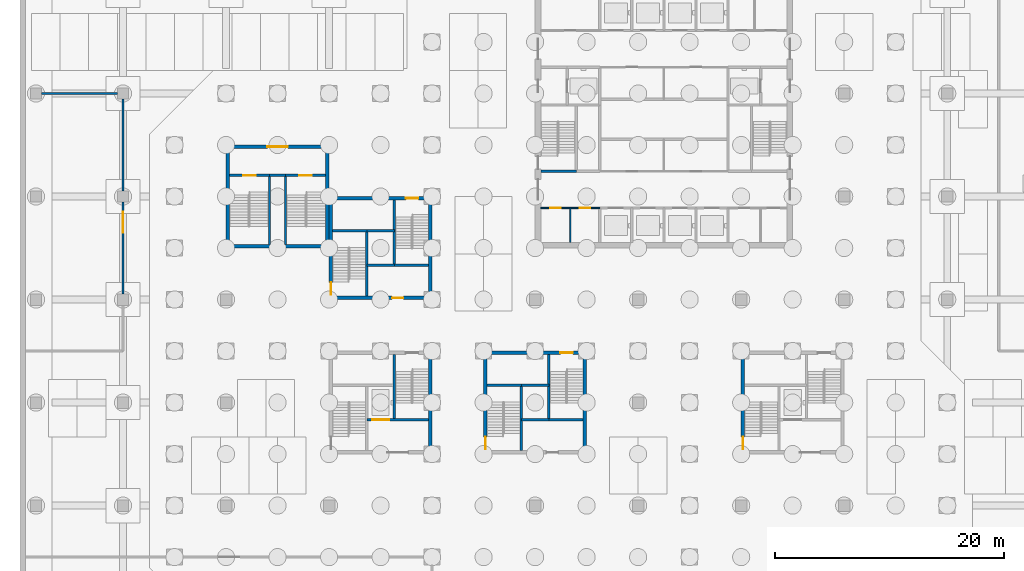
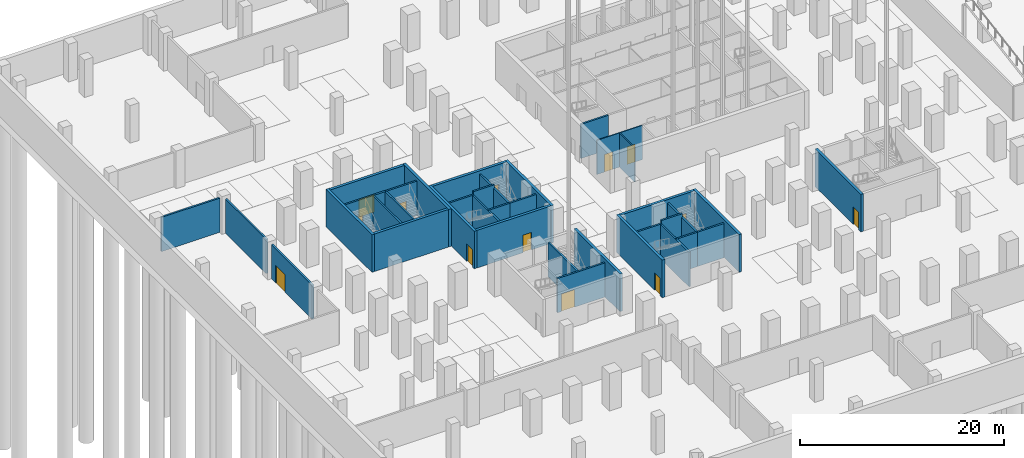
# One storey, part 14 of 37: 38 walls, 13 doors, 13 openings.
"""IFC4 building model written with IfcOpenShell, lengths in metres."""

from ifc_helpers import new_model, si_unit, direction, frame, frame_2d, origin, place, context, subcontext, project, spatial, rectangle, extrude, material, layer, layer_set, type_object, element, fill, save


model = new_model("IFC4")

# Units and contexts
model_context = context("Model", 3, precision=1e-05, world=origin(), true_north=direction((0.0, 1.0)))
body_context = subcontext(model_context, "Body", "Model", "MODEL_VIEW")
ifc_project = project(units=[si_unit("LENGTHUNIT", "METRE"), si_unit("AREAUNIT", "SQUARE_METRE"), si_unit("VOLUMEUNIT", "CUBIC_METRE"), si_unit("PLANEANGLEUNIT", "RADIAN"), si_unit("MASSUNIT", "GRAM", prefix="KILO")], contexts=[model_context])

# Site, building, storey
site_placement = place(None, origin())
site = spatial("IfcSite", under=ifc_project, at=site_placement, CompositionType="ELEMENT")
building_placement = place(site_placement, origin())
building = spatial("IfcBuilding", under=site, at=building_placement, Name="Quoin Convention Tower", CompositionType="ELEMENT")
storey_placement = place(building_placement, frame((0.0, 0.0, -9.0)))
storey = spatial("IfcBuildingStorey", under=building, at=storey_placement, Name="B2", CompositionType="ELEMENT", Elevation=-9.0)

# Wall, opening, door
ifc_material_1 = material(Name="Plasterboard")
ifc_layer_1 = layer(ifc_material_1, 0.012451171875, Name="Finish")
ifc_material_2 = material(Name="Steel stud framing", Category="steel")
ifc_layer_2 = layer(ifc_material_2, 0.175048828125, Name="Structure")
ifc_layer_3 = layer(ifc_material_1, 0.012451171875, Name="Finish")
ifc_layer_set_1 = layer_set([ifc_layer_1, ifc_layer_2, ifc_layer_3], Name="Steel stud framing")
wall_type_1 = type_object("IfcWallType", Name="Block wall 200", PredefinedType="PARTITIONING", material=ifc_layer_set_1)
wall_1_placement = place(storey_placement, frame((9.0, 45.5, 0.0), z_axis=(0.0, 0.0, 1.0), x_axis=(0.0, 1.0, 0.0)))
wall_1 = element("IfcWall", 1, at=wall_1_placement, inside=storey, type_object=wall_type_1, Name="pw-B2-021", PredefinedType="PARTITIONING", context=body_context, shape_type="SweptSolid", body=[
    extrude(rectangle(XDim=8.0, YDim=0.199951171875, at=frame_2d((4.0, 0.0))), origin(), (0.0, 0.0, 1.0), 4.10009765625),
])
opening_1_placement = place(wall_1_placement, frame((5.35009765625, 0.0, 0.0)))
opening_1 = element("IfcOpeningElement", 2, at=opening_1_placement, cuts=wall_1, Name="Opening DPDB2-06", PredefinedType="OPENING", context=body_context, shape_type="SweptSolid", body=[
    extrude(rectangle(XDim=1.800048828125, YDim=2.10009765625, at=frame_2d((0.89990234375, 1.050048828125))), frame((0.0, 0.10986328125, 0.0), z_axis=(0.0, -1.0, 0.0), x_axis=(1.0, 0.0, 0.0)), (0.0, 0.0, 1.0), 0.219970703125),
])
ifc_material_3 = material(Name="Steel door leaf", Category="steel")
door_type_1 = type_object("IfcDoorType", Name="Double leaf door 1800", OperationType="DOUBLE_DOOR_SINGLE_SWING", PredefinedType="DOOR", material=ifc_material_3)
door_1_placement = place(opening_1_placement, frame((1.800048828125, 0.0, 0.0), z_axis=(0.0, 0.0, 1.0), x_axis=(-1.0, 0.0, 0.0)))
door_1 = element("IfcDoor", 3, at=door_1_placement, inside=storey, type_object=door_type_1, Name="dr-B2-011", OperationType="DOUBLE_DOOR_SINGLE_SWING", OverallHeight=2.10009765625, OverallWidth=1.800048828125, PredefinedType="DOOR", context=body_context, shape_type="SweptSolid", body=[
    extrude(rectangle(XDim=1.800048828125, YDim=2.10009765625, at=frame_2d((0.89990234375, 1.050048828125))), frame((0.0, 0.02490234375, 0.0), z_axis=(0.0, -1.0, 0.0), x_axis=(1.0, 0.0, 0.0)), (0.0, 0.0, 1.0), 0.050048828125),
])
fill(opening_1, door_1)

# Walls
wall_2_placement = place(storey_placement, frame((9.0, 54.5, 0.0), z_axis=(0.0, 0.0, 1.0), x_axis=(0.0, 1.0, 0.0)))
element("IfcWall", 4, at=wall_2_placement, inside=storey, type_object=wall_type_1, Name="pw-B2-022", PredefinedType="PARTITIONING", context=body_context, shape_type="SweptSolid", body=[
    extrude(rectangle(XDim=8.0, YDim=0.199951171875, at=frame_2d((4.0, 0.0))), origin(), (0.0, 0.0, 1.0), 4.10009765625),
])
wall_3_placement = place(storey_placement, frame((1.89990234375, 63.0, 0.0), z_axis=(0.0, 0.0, 1.0), x_axis=(1.0, 0.0, 0.0)))
element("IfcWall", 5, at=wall_3_placement, inside=storey, type_object=wall_type_1, Name="pw-B2-025", PredefinedType="PARTITIONING", context=body_context, shape_type="SweptSolid", body=[
    extrude(rectangle(XDim=6.60009765625, YDim=0.199951171875, at=frame_2d((3.300048828125, 0.0))), origin(), (0.0, 0.0, 1.0), 4.10009765625),
])

# Wall, openings, doors
ifc_layer_4 = layer(ifc_material_1, 0.012451171875, Name="Finish")
ifc_layer_5 = layer(ifc_material_2, 0.074951171875, Name="Structure")
ifc_layer_6 = layer(ifc_material_1, 0.012451171875, Name="Finish")
ifc_layer_set_2 = layer_set([ifc_layer_4, ifc_layer_5, ifc_layer_6], Name="Steel stud framing")
wall_type_2 = type_object("IfcWallType", Name="Core partition wall", PredefinedType="PARTITIONING", material=ifc_layer_set_2)
wall_4_placement = place(storey_placement, frame((45.5, 53.0, 0.0), z_axis=(0.0, 0.0, 1.0), x_axis=(1.0, 0.0, 0.0)))
wall_4 = element("IfcWall", 6, at=wall_4_placement, inside=storey, type_object=wall_type_2, Name="cr-C1-B2-h3500_500", PredefinedType="PARTITIONING", context=body_context, shape_type="SweptSolid", body=[
    extrude(rectangle(XDim=5.14990234375, YDim=0.10009765625, at=frame_2d((2.574951171875, 0.0))), origin(), (0.0, 0.0, 1.0), 4.10009765625),
])
opening_2_placement = place(wall_4_placement, frame((0.83740234375, 0.0, 0.0)))
opening_2 = element("IfcOpeningElement", 7, at=opening_2_placement, cuts=wall_4, Name="Opening DCV0-49", PredefinedType="OPENING", context=body_context, shape_type="SweptSolid", body=[
    extrude(rectangle(XDim=0.89990234375, YDim=2.10009765625, at=frame_2d((0.449951171875, 1.050048828125))), frame((0.0, 0.06005859375, 0.0), z_axis=(0.0, -1.0, 0.0), x_axis=(1.0, 0.0, 0.0)), (0.0, 0.0, 1.0), 0.1201171875),
])
opening_3_placement = place(wall_4_placement, frame((3.41259765625, 0.0, 0.0)))
opening_3 = element("IfcOpeningElement", 8, at=opening_3_placement, cuts=wall_4, Name="Opening DCV0-50", PredefinedType="OPENING", context=body_context, shape_type="SweptSolid", body=[
    extrude(rectangle(XDim=0.89990234375, YDim=2.10009765625, at=frame_2d((0.449951171875, 1.050048828125))), frame((0.0, 0.06005859375, 0.0), z_axis=(0.0, -1.0, 0.0), x_axis=(1.0, 0.0, 0.0)), (0.0, 0.0, 1.0), 0.1201171875),
])
door_type_2 = type_object("IfcDoorType", Name="Core room door 900 x 2100", OperationType="SINGLE_SWING_LEFT", PredefinedType="DOOR", material=ifc_material_3)
door_2_placement = place(opening_2_placement, frame((0.89990234375, 0.0, 0.0), z_axis=(0.0, 0.0, 1.0), x_axis=(-1.0, 0.0, 0.0)))
door_2 = element("IfcDoor", 9, at=door_2_placement, inside=storey, type_object=door_type_2, Name="cd-C1-B2-CSW0-lobA-CDB212", OperationType="SINGLE_SWING_LEFT", OverallHeight=2.10009765625, OverallWidth=0.89990234375, PredefinedType="DOOR", context=body_context, shape_type="SweptSolid", body=[
    extrude(rectangle(XDim=0.89990234375, YDim=2.10009765625, at=frame_2d((0.449951171875, 1.050048828125))), frame((0.0, 0.02490234375, 0.0), z_axis=(0.0, -1.0, 0.0), x_axis=(1.0, 0.0, 0.0)), (0.0, 0.0, 1.0), 0.050048828125),
])
fill(opening_2, door_2)
door_3_placement = place(opening_3_placement, frame((0.89990234375, 0.0, 0.0), z_axis=(0.0, 0.0, 1.0), x_axis=(-1.0, 0.0, 0.0)))
door_3 = element("IfcDoor", 10, at=door_3_placement, inside=storey, type_object=door_type_2, Name="cd-C1-B2-CSW1-lobA-CDB213", OperationType="SINGLE_SWING_LEFT", OverallHeight=2.10009765625, OverallWidth=0.89990234375, PredefinedType="DOOR", context=body_context, shape_type="SweptSolid", body=[
    extrude(rectangle(XDim=0.89990234375, YDim=2.10009765625, at=frame_2d((0.449951171875, 1.050048828125))), frame((0.0, 0.02490234375, 0.0), z_axis=(0.0, -1.0, 0.0), x_axis=(1.0, 0.0, 0.0)), (0.0, 0.0, 1.0), 0.050048828125),
])
fill(opening_3, door_3)

# Walls
wall_5_placement = place(storey_placement, frame((48.074951171875, 50.0, 0.0), z_axis=(0.0, 0.0, 1.0), x_axis=(0.0, 1.0, 0.0)))
element("IfcWall", 11, at=wall_5_placement, inside=storey, type_object=wall_type_2, Name="cr-C1-B2-v3075_500", PredefinedType="PARTITIONING", context=body_context, shape_type="SweptSolid", body=[
    extrude(rectangle(XDim=3.0, YDim=0.10009765625, at=frame_2d((1.5, 0.0))), origin(), (0.0, 0.0, 1.0), 4.10009765625),
])
ifc_material_4 = material(Name="Concrete C50", Category="concrete")
ifc_layer_7 = layer(ifc_material_4, 0.199951171875)
ifc_layer_set_3 = layer_set([ifc_layer_7], Name="Concrete C50")
wall_type_3 = type_object("IfcWallType", Name="Core shaft wall", PredefinedType="SOLIDWALL", material=ifc_layer_set_3)
wall_6_placement = place(storey_placement, frame((45.5, 56.199951171875, 0.0), z_axis=(0.0, 0.0, 1.0), x_axis=(1.0, 0.0, 0.0)))
element("IfcWall", 12, at=wall_6_placement, inside=storey, type_object=wall_type_3, Name="cr-C1-B2-h6700_500", PredefinedType="SOLIDWALL", context=body_context, shape_type="SweptSolid", body=[
    extrude(rectangle(XDim=3.10009765625, YDim=0.199951171875, at=frame_2d((1.550048828125, 0.0))), origin(), (0.0, 0.0, 1.0), 4.10009765625),
])
wall_7_placement = place(storey_placement, frame((30.300048828125, 48.0, 0.0), z_axis=(0.0, 0.0, 1.0), x_axis=(1.0, 0.0, 0.0)))
element("IfcWall", 13, at=wall_7_placement, inside=storey, type_object=wall_type_3, Name="cr-P2-B2-h3000_3300", PredefinedType="SOLIDWALL", context=body_context, shape_type="SweptSolid", body=[
    extrude(rectangle(XDim=2.39990234375, YDim=0.199951171875, at=frame_2d((1.199951171875, 0.0))), origin(), (0.0, 0.0, 1.0), 4.10009765625),
])
for number, where, z_axis, x_axis, name in (
    (14, (32.699951171875, 48.0, 0.0), (0.0, 0.0, 1.0), (1.0, 0.0, 0.0), "cr-P2-B2-h3000_5700"),
    (15, (27.300048828125, 51.0, 0.0), (0.0, 0.0, 1.0), (1.0, 0.0, 0.0), "cr-P2-B2-h6000_300"),
):
    element("IfcWall", number, at=place(storey_placement, frame(where, z_axis=z_axis, x_axis=x_axis)), inside=storey, type_object=wall_type_3, Name=name, PredefinedType="SOLIDWALL", context=body_context, shape_type="SweptSolid", body=[
        extrude(rectangle(XDim=3.0, YDim=0.199951171875, at=frame_2d((1.5, 0.0))), origin(), (0.0, 0.0, 1.0), 4.10009765625),
    ])
for number, where, z_axis, x_axis, name in (
    (16, (30.300048828125, 45.300048828125, 0.0), (0.0, 0.0, 1.0), (0.0, 1.0, 0.0), "cr-P2-B2-v3300_300"),
    (17, (32.699951171875, 48.0, 0.0), (0.0, 0.0, 1.0), (0.0, 1.0, 0.0), "cr-P2-B2-v5700_3000"),
):
    element("IfcWall", number, at=place(storey_placement, frame(where, z_axis=z_axis, x_axis=x_axis)), inside=storey, type_object=wall_type_3, Name=name, PredefinedType="SOLIDWALL", context=body_context, shape_type="SweptSolid", body=[
        extrude(rectangle(XDim=5.699951171875, YDim=0.199951171875, at=frame_2d((2.85009765625, 0.0))), origin(), (0.0, 0.0, 1.0), 4.10009765625),
    ])
wall_8_placement = place(storey_placement, frame((43.800048828125, 34.5, 0.0), z_axis=(0.0, 0.0, 1.0), x_axis=(1.0, 0.0, 0.0)))
element("IfcWall", 18, at=wall_8_placement, inside=storey, type_object=wall_type_3, Name="cr-P3-B2-h3000_3300", PredefinedType="SOLIDWALL", context=body_context, shape_type="SweptSolid", body=[
    extrude(rectangle(XDim=2.39990234375, YDim=0.199951171875, at=frame_2d((1.199951171875, 0.0))), origin(), (0.0, 0.0, 1.0), 4.10009765625),
])
for number, where, z_axis, x_axis, name in (
    (19, (46.199951171875, 34.5, 0.0), (0.0, 0.0, 1.0), (1.0, 0.0, 0.0), "cr-P3-B2-h3000_5700"),
    (20, (40.800048828125, 37.5, 0.0), (0.0, 0.0, 1.0), (1.0, 0.0, 0.0), "cr-P3-B2-h6000_300"),
):
    element("IfcWall", number, at=place(storey_placement, frame(where, z_axis=z_axis, x_axis=x_axis)), inside=storey, type_object=wall_type_3, Name=name, PredefinedType="SOLIDWALL", context=body_context, shape_type="SweptSolid", body=[
        extrude(rectangle(XDim=3.0, YDim=0.199951171875, at=frame_2d((1.5, 0.0))), origin(), (0.0, 0.0, 1.0), 4.10009765625),
    ])
for number, where, z_axis, x_axis, name in (
    (21, (43.800048828125, 31.800048828125, 0.0), (0.0, 0.0, 1.0), (0.0, 1.0, 0.0), "cr-P3-B2-v3300_300"),
    (22, (46.199951171875, 34.5, 0.0), (0.0, 0.0, 1.0), (0.0, 1.0, 0.0), "cr-P3-B2-v5700_3000"),
):
    element("IfcWall", number, at=place(storey_placement, frame(where, z_axis=z_axis, x_axis=x_axis)), inside=storey, type_object=wall_type_3, Name=name, PredefinedType="SOLIDWALL", context=body_context, shape_type="SweptSolid", body=[
        extrude(rectangle(XDim=5.699951171875, YDim=0.199951171875, at=frame_2d((2.85009765625, 0.0))), origin(), (0.0, 0.0, 1.0), 4.10009765625),
    ])

# Wall, opening, door
wall_9_placement = place(storey_placement, frame((30.300048828125, 34.5, 0.0), z_axis=(0.0, 0.0, 1.0), x_axis=(1.0, 0.0, 0.0)))
wall_9 = element("IfcWall", 23, at=wall_9_placement, inside=storey, type_object=wall_type_3, Name="cr-P4-B2-h3000_3300", PredefinedType="SOLIDWALL", context=body_context, shape_type="SweptSolid", body=[
    extrude(rectangle(XDim=5.39990234375, YDim=0.199951171875, at=frame_2d((2.699951171875, 0.0))), origin(), (0.0, 0.0, 1.0), 4.10009765625),
])
opening_4_placement = place(wall_9_placement, frame((0.449951171875, 0.0, 0.0)))
opening_4 = element("IfcOpeningElement", 24, at=opening_4_placement, cuts=wall_9, Name="Opening LDGL1", PredefinedType="OPENING", context=body_context, shape_type="SweptSolid", body=[
    extrude(rectangle(XDim=1.5, YDim=2.10009765625, at=frame_2d((0.75, 1.050048828125))), frame((0.0, 0.10986328125, 0.0), z_axis=(0.0, -1.0, 0.0), x_axis=(1.0, 0.0, 0.0)), (0.0, 0.0, 1.0), 0.219970703125),
])
door_type_3 = type_object("IfcDoorType", Name="Lift landing door 1500 x 2100", OperationType="DOUBLE_DOOR_SLIDING", PredefinedType="DOOR", material=ifc_material_3)
door_4_placement = place(opening_4_placement, origin())
door_4 = element("IfcDoor", 25, at=door_4_placement, inside=storey, type_object=door_type_3, Name="cd-P4-B2-CEN-R2-LDGL1", OperationType="DOUBLE_DOOR_SLIDING", OverallHeight=2.10009765625, OverallWidth=1.5, PredefinedType="DOOR", context=body_context, shape_type="SweptSolid", body=[
    extrude(rectangle(XDim=1.5, YDim=2.10009765625, at=frame_2d((0.75, 1.050048828125))), frame((0.0, 0.02490234375, 0.0), z_axis=(0.0, -1.0, 0.0), x_axis=(1.0, 0.0, 0.0)), (0.0, 0.0, 1.0), 0.050048828125),
])
fill(opening_4, door_4)

# Walls
wall_10_placement = place(storey_placement, frame((32.699951171875, 34.5, 0.0), z_axis=(0.0, 0.0, 1.0), x_axis=(0.0, 1.0, 0.0)))
element("IfcWall", 26, at=wall_10_placement, inside=storey, type_object=wall_type_3, Name="cr-P4-B2-v5700_3000", PredefinedType="SOLIDWALL", context=body_context, shape_type="SweptSolid", body=[
    extrude(rectangle(XDim=5.699951171875, YDim=0.199951171875, at=frame_2d((2.85009765625, 0.0))), origin(), (0.0, 0.0, 1.0), 4.10009765625),
])
wall_11_placement = place(storey_placement, frame((21.800048828125, 55.85009765625, 0.0), z_axis=(0.0, 0.0, 1.0), x_axis=(1.0, 0.0, 0.0)))
element("IfcWall", 27, at=wall_11_placement, inside=storey, type_object=wall_type_3, Name="cr-P6-B2-h6350_3800", PredefinedType="SOLIDWALL", context=body_context, shape_type="SweptSolid", body=[
    extrude(rectangle(XDim=1.39990234375, YDim=0.199951171875, at=frame_2d((0.699951171875, 0.0))), origin(), (0.0, 0.0, 1.0), 4.10009765625),
])

# Wall, opening, door
wall_12_placement = place(storey_placement, frame((18.300048828125, 55.85009765625, 0.0), z_axis=(0.0, 0.0, 1.0), x_axis=(1.0, 0.0, 0.0)))
wall_12 = element("IfcWall", 28, at=wall_12_placement, inside=storey, type_object=wall_type_3, Name="cr-P6-B2-h6350_300", PredefinedType="SOLIDWALL", context=body_context, shape_type="SweptSolid", body=[
    extrude(rectangle(XDim=3.5, YDim=0.199951171875, at=frame_2d((1.75, 0.0))), origin(), (0.0, 0.0, 1.0), 4.10009765625),
])
opening_5_placement = place(wall_12_placement, frame((1.199951171875, 0.0, 0.0)))
opening_5 = element("IfcOpeningElement", 29, at=opening_5_placement, cuts=wall_12, Name="Opening SD11", PredefinedType="OPENING", context=body_context, shape_type="SweptSolid", body=[
    extrude(rectangle(XDim=1.10009765625, YDim=2.10009765625, at=frame_2d((0.550048828125, 1.050048828125))), frame((0.0, 0.10986328125, 0.0), z_axis=(0.0, -1.0, 0.0), x_axis=(1.0, 0.0, 0.0)), (0.0, 0.0, 1.0), 0.219970703125),
])
door_type_4 = type_object("IfcDoorType", Name="Stair door 1100 x 2100", OperationType="SINGLE_SWING_RIGHT", PredefinedType="DOOR", material=ifc_material_3)
door_5_placement = place(opening_5_placement, origin())
door_5 = element("IfcDoor", 30, at=door_5_placement, inside=storey, type_object=door_type_4, Name="cd-P6-B2-SA-R2-SD11", OperationType="SINGLE_SWING_RIGHT", OverallHeight=2.10009765625, OverallWidth=1.10009765625, PredefinedType="DOOR", context=body_context, shape_type="SweptSolid", body=[
    extrude(rectangle(XDim=1.10009765625, YDim=2.10009765625, at=frame_2d((0.550048828125, 1.050048828125))), frame((0.0, 0.02490234375, 0.0), z_axis=(0.0, -1.0, 0.0), x_axis=(1.0, 0.0, 0.0)), (0.0, 0.0, 1.0), 0.050048828125),
])
fill(opening_5, door_5)

wall_13_placement = place(storey_placement, frame((23.199951171875, 55.85009765625, 0.0), z_axis=(0.0, 0.0, 1.0), x_axis=(1.0, 0.0, 0.0)))
wall_13 = element("IfcWall", 31, at=wall_13_placement, inside=storey, type_object=wall_type_3, Name="cr-P6-B2-h6350_5200", PredefinedType="SOLIDWALL", context=body_context, shape_type="SweptSolid", body=[
    extrude(rectangle(XDim=3.5, YDim=0.199951171875, at=frame_2d((1.75, 0.0))), origin(), (0.0, 0.0, 1.0), 4.10009765625),
])
opening_6_placement = place(wall_13_placement, frame((1.199951171875, 0.0, 0.0)))
opening_6 = element("IfcOpeningElement", 32, at=opening_6_placement, cuts=wall_13, Name="Opening SD12", PredefinedType="OPENING", context=body_context, shape_type="SweptSolid", body=[
    extrude(rectangle(XDim=1.10009765625, YDim=2.10009765625, at=frame_2d((0.550048828125, 1.050048828125))), frame((0.0, 0.10986328125, 0.0), z_axis=(0.0, -1.0, 0.0), x_axis=(1.0, 0.0, 0.0)), (0.0, 0.0, 1.0), 0.219970703125),
])
door_6_placement = place(opening_6_placement, origin())
door_6 = element("IfcDoor", 33, at=door_6_placement, inside=storey, type_object=door_type_4, Name="cd-P6-B2-SB-R2-SD12", OperationType="SINGLE_SWING_RIGHT", OverallHeight=2.10009765625, OverallWidth=1.10009765625, PredefinedType="DOOR", context=body_context, shape_type="SweptSolid", body=[
    extrude(rectangle(XDim=1.10009765625, YDim=2.10009765625, at=frame_2d((0.550048828125, 1.050048828125))), frame((0.0, 0.02490234375, 0.0), z_axis=(0.0, -1.0, 0.0), x_axis=(1.0, 0.0, 0.0)), (0.0, 0.0, 1.0), 0.050048828125),
])
fill(opening_6, door_6)

# Walls
for number, where, z_axis, x_axis, name in (
    (34, (21.800048828125, 49.800048828125, 0.0), (0.0, 0.0, 1.0), (0.0, 1.0, 0.0), "cr-P6-B2-v3800_300"),
    (35, (23.199951171875, 49.800048828125, 0.0), (0.0, 0.0, 1.0), (0.0, 1.0, 0.0), "cr-P6-B2-v5200_300"),
):
    element("IfcWall", number, at=place(storey_placement, frame(where, z_axis=z_axis, x_axis=x_axis)), inside=storey, type_object=wall_type_3, Name=name, PredefinedType="SOLIDWALL", context=body_context, shape_type="SweptSolid", body=[
        extrude(rectangle(XDim=6.050048828125, YDim=0.199951171875, at=frame_2d((3.02490234375, 0.0))), origin(), (0.0, 0.0, 1.0), 4.10009765625),
    ])
ifc_layer_8 = layer(ifc_material_4, 0.199951171875)
ifc_layer_set_4 = layer_set([ifc_layer_8], Name="Concrete C50")
wall_type_4 = type_object("IfcWallType", Name="Core shaft wall to the floor level over", PredefinedType="SOLIDWALL", material=ifc_layer_set_4)
for number, where, z_axis, x_axis, name in (
    (36, (30.300048828125, 51.0, 0.0), (0.0, 0.0, 1.0), (1.0, 0.0, 0.0), "cr-P2-B2-h6000_3300"),
    (37, (43.800048828125, 37.5, 0.0), (0.0, 0.0, 1.0), (1.0, 0.0, 0.0), "cr-P3-B2-h6000_3300"),
):
    element("IfcWall", number, at=place(storey_placement, frame(where, z_axis=z_axis, x_axis=x_axis)), inside=storey, type_object=wall_type_4, Name=name, PredefinedType="SOLIDWALL", context=body_context, shape_type="SweptSolid", body=[
        extrude(rectangle(XDim=2.39990234375, YDim=0.199951171875, at=frame_2d((1.199951171875, 0.0))), origin(), (0.0, 0.0, 1.0), 4.5),
    ])

# Wall, opening, door
ifc_material_5 = material(Name="Concrete C100 (100 MPa)", Category="concrete")
ifc_layer_9 = layer(ifc_material_5, 0.300048828125)
ifc_layer_set_5 = layer_set([ifc_layer_9], Name="Concrete C100 (100 MPa)")
wall_type_5 = type_object("IfcWallType", Name="RC CORE WALL 300 C100", PredefinedType="SHEAR", material=ifc_layer_set_5)
wall_14_placement = place(storey_placement, frame((27.300048828125, 45.14990234375, 0.0), z_axis=(0.0, 0.0, 1.0), x_axis=(1.0, 0.0, 0.0)))
wall_14 = element("IfcWall", 38, at=wall_14_placement, inside=storey, type_object=wall_type_5, Name="cwl-P2-B2-S", PredefinedType="SHEAR", context=body_context, shape_type="SweptSolid", body=[
    extrude(rectangle(XDim=8.39990234375, YDim=0.300048828125, at=frame_2d((4.199951171875, 0.0))), origin(), (0.0, 0.0, 1.0), 4.5),
])
opening_7_placement = place(wall_14_placement, frame((5.199951171875, 0.0, 0.0)))
opening_7 = element("IfcOpeningElement", 39, at=opening_7_placement, cuts=wall_14, Name="Opening DCV0-60", PredefinedType="OPENING", context=body_context, shape_type="SweptSolid", body=[
    extrude(rectangle(XDim=1.0, YDim=2.10009765625, at=frame_2d((0.5, 1.050048828125))), frame((0.0, 0.159912109375, 0.0), z_axis=(0.0, -1.0, 0.0), x_axis=(1.0, 0.0, 0.0)), (0.0, 0.0, 1.0), 0.320068359375),
])
door_type_5 = type_object("IfcDoorType", Name="Service door 1000 x 2100", OperationType="SINGLE_SWING_LEFT", PredefinedType="DOOR", material=ifc_material_3)
door_7_placement = place(opening_7_placement, frame((1.0, 0.0, 0.0), z_axis=(0.0, 0.0, 1.0), x_axis=(-1.0, 0.0, 0.0)))
door_7 = element("IfcDoor", 40, at=door_7_placement, inside=storey, type_object=door_type_5, Name="cd-P2-B2-R2-S", OperationType="SINGLE_SWING_LEFT", OverallHeight=2.10009765625, OverallWidth=1.0, PredefinedType="DOOR", context=body_context, shape_type="SweptSolid", body=[
    extrude(rectangle(XDim=1.0, YDim=2.10009765625, at=frame_2d((0.5, 1.050048828125))), frame((0.0, 0.02490234375, 0.0), z_axis=(0.0, -1.0, 0.0), x_axis=(1.0, 0.0, 0.0)), (0.0, 0.0, 1.0), 0.050048828125),
])
fill(opening_7, door_7)

wall_15_placement = place(storey_placement, frame((27.300048828125, 53.85009765625, 0.0), z_axis=(0.0, 0.0, 1.0), x_axis=(1.0, 0.0, 0.0)))
wall_15 = element("IfcWall", 41, at=wall_15_placement, inside=storey, type_object=wall_type_5, Name="cwl-P2-B2-N", PredefinedType="SHEAR", context=body_context, shape_type="SweptSolid", body=[
    extrude(rectangle(XDim=8.39990234375, YDim=0.300048828125, at=frame_2d((4.199951171875, 0.0))), origin(), (0.0, 0.0, 1.0), 4.5),
])
opening_8_placement = place(wall_15_placement, frame((6.39990234375, 0.0, 0.0)))
opening_8 = element("IfcOpeningElement", 42, at=opening_8_placement, cuts=wall_15, Name="Opening SD4", PredefinedType="OPENING", context=body_context, shape_type="SweptSolid", body=[
    extrude(rectangle(XDim=1.10009765625, YDim=2.10009765625, at=frame_2d((0.550048828125, 1.050048828125))), frame((0.0, 0.159912109375, 0.0), z_axis=(0.0, -1.0, 0.0), x_axis=(1.0, 0.0, 0.0)), (0.0, 0.0, 1.0), 0.320068359375),
])
door_8_placement = place(opening_8_placement, frame((1.10009765625, 0.0, 0.0), z_axis=(0.0, 0.0, 1.0), x_axis=(-1.0, 0.0, 0.0)))
door_8 = element("IfcDoor", 43, at=door_8_placement, inside=storey, type_object=door_type_4, Name="cd-P2-B2-SB-N", OperationType="SINGLE_SWING_LEFT", OverallHeight=2.10009765625, OverallWidth=1.10009765625, PredefinedType="DOOR", context=body_context, shape_type="SweptSolid", body=[
    extrude(rectangle(XDim=1.10009765625, YDim=2.10009765625, at=frame_2d((0.550048828125, 1.050048828125))), frame((0.0, 0.02490234375, 0.0), z_axis=(0.0, -1.0, 0.0), x_axis=(1.0, 0.0, 0.0)), (0.0, 0.0, 1.0), 0.050048828125),
])
fill(opening_8, door_8)

wall_16_placement = place(storey_placement, frame((27.14990234375, 45.0, 0.0), z_axis=(0.0, 0.0, 1.0), x_axis=(0.0, 1.0, 0.0)))
wall_16 = element("IfcWall", 44, at=wall_16_placement, inside=storey, type_object=wall_type_5, Name="cwl-P2-B2-W", PredefinedType="SHEAR", context=body_context, shape_type="SweptSolid", body=[
    extrude(rectangle(XDim=9.0, YDim=0.300048828125, at=frame_2d((4.5, 0.0))), origin(), (0.0, 0.0, 1.0), 4.5),
])
opening_9_placement = place(wall_16_placement, frame((0.39990234375, 0.0, 0.0)))
opening_9 = element("IfcOpeningElement", 45, at=opening_9_placement, cuts=wall_16, Name="Opening SD3", PredefinedType="OPENING", context=body_context, shape_type="SweptSolid", body=[
    extrude(rectangle(XDim=1.10009765625, YDim=2.10009765625, at=frame_2d((0.550048828125, 1.050048828125))), frame((0.0, 0.159912109375, 0.0), z_axis=(0.0, -1.0, 0.0), x_axis=(1.0, 0.0, 0.0)), (0.0, 0.0, 1.0), 0.320068359375),
])
door_9_placement = place(opening_9_placement, frame((1.10009765625, 0.0, 0.0), z_axis=(0.0, 0.0, 1.0), x_axis=(-1.0, 0.0, 0.0)))
door_9 = element("IfcDoor", 46, at=door_9_placement, inside=storey, type_object=door_type_4, Name="cd-P2-B2-SA-W", OperationType="SINGLE_SWING_RIGHT", OverallHeight=2.10009765625, OverallWidth=1.10009765625, PredefinedType="DOOR", context=body_context, shape_type="SweptSolid", body=[
    extrude(rectangle(XDim=1.10009765625, YDim=2.10009765625, at=frame_2d((0.550048828125, 1.050048828125))), frame((0.0, 0.02490234375, 0.0), z_axis=(0.0, -1.0, 0.0), x_axis=(1.0, 0.0, 0.0)), (0.0, 0.0, 1.0), 0.050048828125),
])
fill(opening_9, door_9)

# Wall
wall_17_placement = place(storey_placement, frame((35.85009765625, 45.0, 0.0), z_axis=(0.0, 0.0, 1.0), x_axis=(0.0, 1.0, 0.0)))
element("IfcWall", 47, at=wall_17_placement, inside=storey, type_object=wall_type_5, Name="cwl-P2-B2-E", PredefinedType="SHEAR", context=body_context, shape_type="SweptSolid", body=[
    extrude(rectangle(XDim=9.0, YDim=0.300048828125, at=frame_2d((4.5, 0.0))), origin(), (0.0, 0.0, 1.0), 4.5),
])

# Wall, opening, door
wall_18_placement = place(storey_placement, frame((40.800048828125, 40.35009765625, 0.0), z_axis=(0.0, 0.0, 1.0), x_axis=(1.0, 0.0, 0.0)))
wall_18 = element("IfcWall", 48, at=wall_18_placement, inside=storey, type_object=wall_type_5, Name="cwl-P3-B2-N", PredefinedType="SHEAR", context=body_context, shape_type="SweptSolid", body=[
    extrude(rectangle(XDim=8.39990234375, YDim=0.300048828125, at=frame_2d((4.199951171875, 0.0))), origin(), (0.0, 0.0, 1.0), 4.5),
])
opening_10_placement = place(wall_18_placement, frame((6.39990234375, 0.0, 0.0)))
opening_10 = element("IfcOpeningElement", 49, at=opening_10_placement, cuts=wall_18, Name="Opening SD6", PredefinedType="OPENING", context=body_context, shape_type="SweptSolid", body=[
    extrude(rectangle(XDim=1.10009765625, YDim=2.10009765625, at=frame_2d((0.550048828125, 1.050048828125))), frame((0.0, 0.159912109375, 0.0), z_axis=(0.0, -1.0, 0.0), x_axis=(1.0, 0.0, 0.0)), (0.0, 0.0, 1.0), 0.320068359375),
])
door_10_placement = place(opening_10_placement, frame((1.10009765625, 0.0, 0.0), z_axis=(0.0, 0.0, 1.0), x_axis=(-1.0, 0.0, 0.0)))
door_10 = element("IfcDoor", 50, at=door_10_placement, inside=storey, type_object=door_type_4, Name="cd-P3-B2-SB-N", OperationType="SINGLE_SWING_LEFT", OverallHeight=2.10009765625, OverallWidth=1.10009765625, PredefinedType="DOOR", context=body_context, shape_type="SweptSolid", body=[
    extrude(rectangle(XDim=1.10009765625, YDim=2.10009765625, at=frame_2d((0.550048828125, 1.050048828125))), frame((0.0, 0.02490234375, 0.0), z_axis=(0.0, -1.0, 0.0), x_axis=(1.0, 0.0, 0.0)), (0.0, 0.0, 1.0), 0.050048828125),
])
fill(opening_10, door_10)

wall_19_placement = place(storey_placement, frame((40.64990234375, 31.5, 0.0), z_axis=(0.0, 0.0, 1.0), x_axis=(0.0, 1.0, 0.0)))
wall_19 = element("IfcWall", 51, at=wall_19_placement, inside=storey, type_object=wall_type_5, Name="cwl-P3-B2-W", PredefinedType="SHEAR", context=body_context, shape_type="SweptSolid", body=[
    extrude(rectangle(XDim=9.0, YDim=0.300048828125, at=frame_2d((4.5, 0.0))), origin(), (0.0, 0.0, 1.0), 4.5),
])
opening_11_placement = place(wall_19_placement, frame((0.39990234375, 0.0, 0.0)))
opening_11 = element("IfcOpeningElement", 52, at=opening_11_placement, cuts=wall_19, Name="Opening SD5", PredefinedType="OPENING", context=body_context, shape_type="SweptSolid", body=[
    extrude(rectangle(XDim=1.10009765625, YDim=2.10009765625, at=frame_2d((0.550048828125, 1.050048828125))), frame((0.0, 0.159912109375, 0.0), z_axis=(0.0, -1.0, 0.0), x_axis=(1.0, 0.0, 0.0)), (0.0, 0.0, 1.0), 0.320068359375),
])
door_11_placement = place(opening_11_placement, frame((1.10009765625, 0.0, 0.0), z_axis=(0.0, 0.0, 1.0), x_axis=(-1.0, 0.0, 0.0)))
door_11 = element("IfcDoor", 53, at=door_11_placement, inside=storey, type_object=door_type_4, Name="cd-P3-B2-SA-W", OperationType="SINGLE_SWING_RIGHT", OverallHeight=2.10009765625, OverallWidth=1.10009765625, PredefinedType="DOOR", context=body_context, shape_type="SweptSolid", body=[
    extrude(rectangle(XDim=1.10009765625, YDim=2.10009765625, at=frame_2d((0.550048828125, 1.050048828125))), frame((0.0, 0.02490234375, 0.0), z_axis=(0.0, -1.0, 0.0), x_axis=(1.0, 0.0, 0.0)), (0.0, 0.0, 1.0), 0.050048828125),
])
fill(opening_11, door_11)

# Walls
for number, where, z_axis, x_axis, name in (
    (54, (49.35009765625, 31.5, 0.0), (0.0, 0.0, 1.0), (0.0, 1.0, 0.0), "cwl-P3-B2-E"),
    (55, (35.85009765625, 31.5, 0.0), (0.0, 0.0, 1.0), (0.0, 1.0, 0.0), "cwl-P4-B2-E"),
):
    element("IfcWall", number, at=place(storey_placement, frame(where, z_axis=z_axis, x_axis=x_axis)), inside=storey, type_object=wall_type_5, Name=name, PredefinedType="SHEAR", context=body_context, shape_type="SweptSolid", body=[
        extrude(rectangle(XDim=9.0, YDim=0.300048828125, at=frame_2d((4.5, 0.0))), origin(), (0.0, 0.0, 1.0), 4.5),
    ])

# Wall, opening, door
wall_20_placement = place(storey_placement, frame((63.14990234375, 31.5, 0.0), z_axis=(0.0, 0.0, 1.0), x_axis=(0.0, 1.0, 0.0)))
wall_20 = element("IfcWall", 56, at=wall_20_placement, inside=storey, type_object=wall_type_5, Name="cwl-P5-B2-W", PredefinedType="SHEAR", context=body_context, shape_type="SweptSolid", body=[
    extrude(rectangle(XDim=9.0, YDim=0.300048828125, at=frame_2d((4.5, 0.0))), origin(), (0.0, 0.0, 1.0), 4.5),
])
opening_12_placement = place(wall_20_placement, frame((0.39990234375, 0.0, 0.0)))
opening_12 = element("IfcOpeningElement", 57, at=opening_12_placement, cuts=wall_20, Name="Opening SD9", PredefinedType="OPENING", context=body_context, shape_type="SweptSolid", body=[
    extrude(rectangle(XDim=1.10009765625, YDim=2.10009765625, at=frame_2d((0.550048828125, 1.050048828125))), frame((0.0, 0.159912109375, 0.0), z_axis=(0.0, -1.0, 0.0), x_axis=(1.0, 0.0, 0.0)), (0.0, 0.0, 1.0), 0.320068359375),
])
door_12_placement = place(opening_12_placement, frame((1.10009765625, 0.0, 0.0), z_axis=(0.0, 0.0, 1.0), x_axis=(-1.0, 0.0, 0.0)))
door_12 = element("IfcDoor", 58, at=door_12_placement, inside=storey, type_object=door_type_4, Name="cd-P5-B2-SA-W", OperationType="SINGLE_SWING_RIGHT", OverallHeight=2.10009765625, OverallWidth=1.10009765625, PredefinedType="DOOR", context=body_context, shape_type="SweptSolid", body=[
    extrude(rectangle(XDim=1.10009765625, YDim=2.10009765625, at=frame_2d((0.550048828125, 1.050048828125))), frame((0.0, 0.02490234375, 0.0), z_axis=(0.0, -1.0, 0.0), x_axis=(1.0, 0.0, 0.0)), (0.0, 0.0, 1.0), 0.050048828125),
])
fill(opening_12, door_12)

# Wall
wall_21_placement = place(storey_placement, frame((18.300048828125, 49.64990234375, 0.0), z_axis=(0.0, 0.0, 1.0), x_axis=(1.0, 0.0, 0.0)))
element("IfcWall", 59, at=wall_21_placement, inside=storey, type_object=wall_type_5, Name="cwl-P6-B2-S", PredefinedType="SHEAR", context=body_context, shape_type="SweptSolid", body=[
    extrude(rectangle(XDim=8.39990234375, YDim=0.300048828125, at=frame_2d((4.199951171875, 0.0))), origin(), (0.0, 0.0, 1.0), 4.5),
])

# Wall, opening, door
wall_22_placement = place(storey_placement, frame((18.300048828125, 58.35009765625, 0.0), z_axis=(0.0, 0.0, 1.0), x_axis=(1.0, 0.0, 0.0)))
wall_22 = element("IfcWall", 60, at=wall_22_placement, inside=storey, type_object=wall_type_5, Name="cwl-P6-B2-N", PredefinedType="SHEAR", context=body_context, shape_type="SweptSolid", body=[
    extrude(rectangle(XDim=8.39990234375, YDim=0.300048828125, at=frame_2d((4.199951171875, 0.0))), origin(), (0.0, 0.0, 1.0), 4.5),
])
opening_13_placement = place(wall_22_placement, frame((3.300048828125, 0.0, 0.0)))
opening_13 = element("IfcOpeningElement", 61, at=opening_13_placement, cuts=wall_22, Name="Opening DCV0-65", PredefinedType="OPENING", context=body_context, shape_type="SweptSolid", body=[
    extrude(rectangle(XDim=1.800048828125, YDim=2.10009765625, at=frame_2d((0.89990234375, 1.050048828125))), frame((0.0, 0.159912109375, 0.0), z_axis=(0.0, -1.0, 0.0), x_axis=(1.0, 0.0, 0.0)), (0.0, 0.0, 1.0), 0.320068359375),
])
door_type_6 = type_object("IfcDoorType", Name="Goods lobby door 1800 x 2100", OperationType="SINGLE_SWING_LEFT", PredefinedType="DOOR", material=ifc_material_3)
door_13_placement = place(opening_13_placement, frame((1.800048828125, 0.0, 0.0), z_axis=(0.0, 0.0, 1.0), x_axis=(-1.0, 0.0, 0.0)))
door_13 = element("IfcDoor", 62, at=door_13_placement, inside=storey, type_object=door_type_6, Name="cd-P6-B2-R2-N", OperationType="SINGLE_SWING_LEFT", OverallHeight=2.10009765625, OverallWidth=1.800048828125, PredefinedType="DOOR", context=body_context, shape_type="SweptSolid", body=[
    extrude(rectangle(XDim=1.800048828125, YDim=2.10009765625, at=frame_2d((0.89990234375, 1.050048828125))), frame((0.0, 0.02490234375, 0.0), z_axis=(0.0, -1.0, 0.0), x_axis=(1.0, 0.0, 0.0)), (0.0, 0.0, 1.0), 0.050048828125),
])
fill(opening_13, door_13)

# Walls
for number, where, z_axis, x_axis, name in (
    (63, (18.14990234375, 49.5, 0.0), (0.0, 0.0, 1.0), (0.0, 1.0, 0.0), "cwl-P6-B2-W"),
    (64, (26.85009765625, 49.5, 0.0), (0.0, 0.0, 1.0), (0.0, 1.0, 0.0), "cwl-P6-B2-E"),
):
    element("IfcWall", number, at=place(storey_placement, frame(where, z_axis=z_axis, x_axis=x_axis)), inside=storey, type_object=wall_type_5, Name=name, PredefinedType="SHEAR", context=body_context, shape_type="SweptSolid", body=[
        extrude(rectangle(XDim=9.0, YDim=0.300048828125, at=frame_2d((4.5, 0.0))), origin(), (0.0, 0.0, 1.0), 4.5),
    ])

save(model, "model.ifc")
